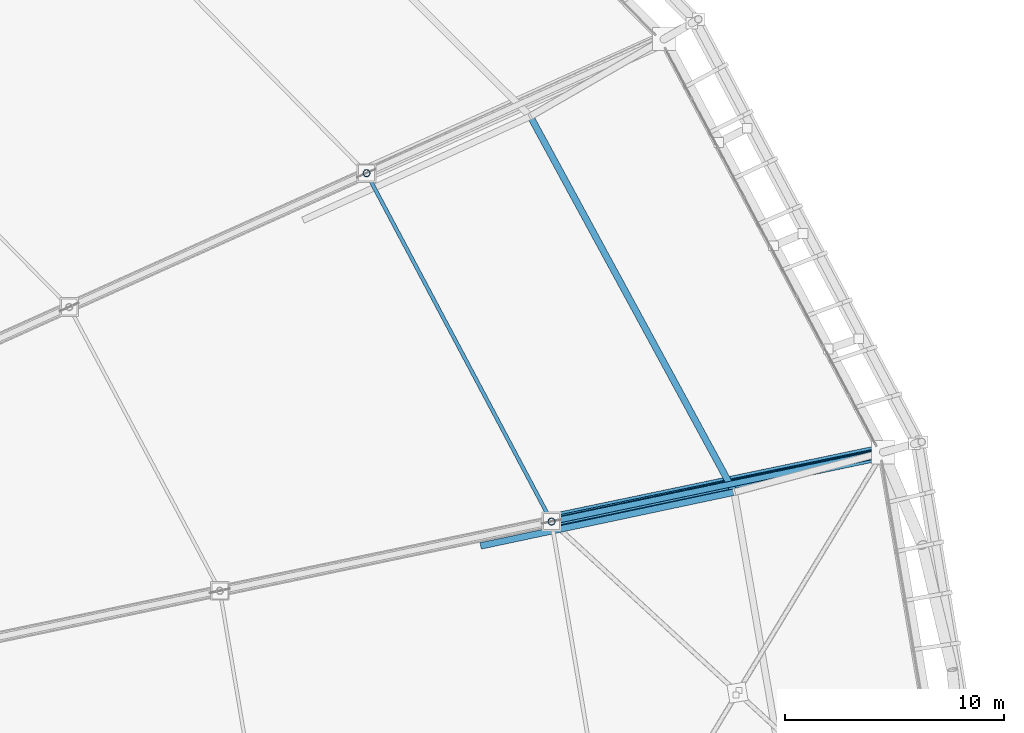
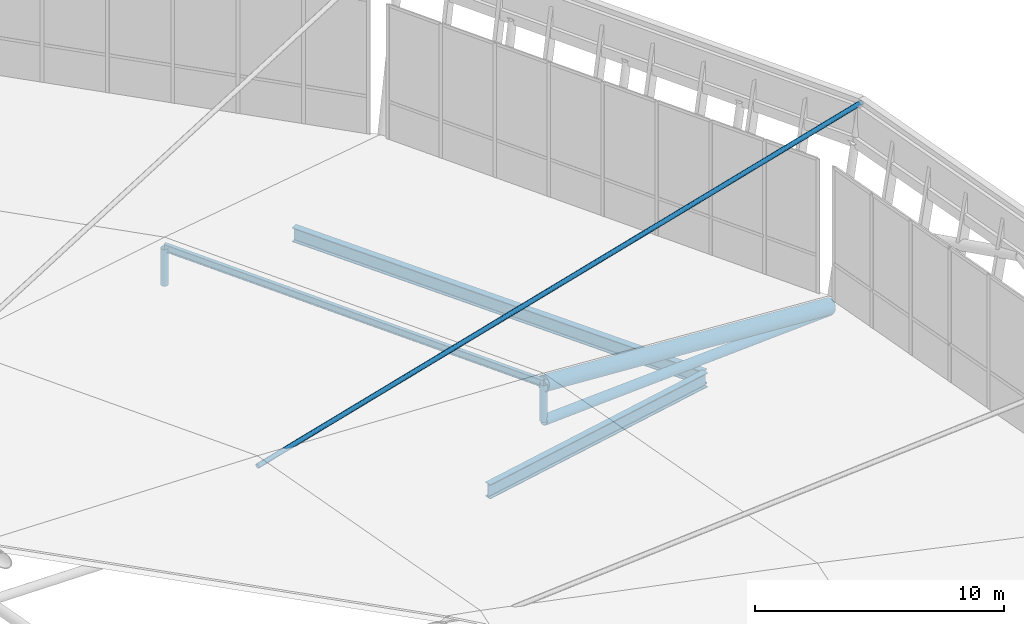
# One storey, part 55 of 115: 7 members, 2 beams.
"""IFC4 building model written with IfcOpenShell, lengths in metres."""

from ifc_helpers import new_model, si_unit, direction, frame, origin, origin_2d, place, context, subcontext, project, spatial, hollow_circle, i_section, extrude, material, material_profile, profile_set, type_object, element, save


model = new_model("IFC4")

# Units and contexts
model_context = context("Model", 3, precision=1e-05, world=origin(), true_north=direction((0.0, 1.0)))
body_context = subcontext(model_context, "Body", "Model", "MODEL_VIEW")
ifc_project = project(units=[si_unit("LENGTHUNIT", "METRE"), si_unit("AREAUNIT", "SQUARE_METRE"), si_unit("VOLUMEUNIT", "CUBIC_METRE"), si_unit("PLANEANGLEUNIT", "RADIAN"), si_unit("MASSUNIT", "GRAM", prefix="KILO")], contexts=[model_context])

# Site, building, storey
site_placement = place(None, origin())
site = spatial("IfcSite", under=ifc_project, at=site_placement, CompositionType="ELEMENT")
building_placement = place(site_placement, origin())
building = spatial("IfcBuilding", under=site, at=building_placement, Name="Zlatoyarsky Gate Stadium", CompositionType="ELEMENT")
storey_placement = place(building_placement, frame((0.0, 0.0, 31.800048828125)))
storey = spatial("IfcBuildingStorey", under=building, at=storey_placement, Name="RF", CompositionType="ELEMENT", Elevation=31.800048828125)

# Members
ifc_material = material(Name="Steel S355", Category="steel")
ifc_material_profile_1 = material_profile(ifc_material, hollow_circle(Radius=0.228515625, WallThickness=0.02490234375, at=origin_2d()), Name="CHS 457X25")
ifc_profile_set_1 = profile_set([ifc_material_profile_1], Name="Steel S355")
member_type_1 = type_object("IfcMemberType", Name="STEEL ARCH BOTTOM CHORD CHS 457X25", PredefinedType="CHORD", material=ifc_profile_set_1)
member_1_placement = place(storey_placement, frame((207.619140625, 100.195068359375, -0.449951171875), z_axis=(-0.972261655256, -0.203217530237, 0.115801162009), x_axis=(0.2045939534, -0.978846930951, 0.0)))
element("IfcMember", 1, at=member_1_placement, inside=storey, type_object=member_type_1, Name="Radial truss R02 bottom chord 1", PredefinedType="CHORD", context=body_context, shape_type="SweptSolid", body=[
    extrude(hollow_circle(Radius=0.228515625, WallThickness=0.02490234375, at=origin_2d()), origin(), (0.0, 0.0, 1.0), 15.542236328125),
])
ifc_material_profile_2 = material_profile(ifc_material, hollow_circle(Radius=0.35546875, WallThickness=0.031982421875, at=origin_2d()), Name="CHS 711X32")
ifc_profile_set_2 = profile_set([ifc_material_profile_2], Name="Steel S355")
member_type_2 = type_object("IfcMemberType", Name="STEEL ARCH TOP CHORD CHS 711X32", PredefinedType="CHORD", material=ifc_profile_set_2)
member_2_placement = place(storey_placement, frame((207.619140625, 100.195068359375, -0.25), z_axis=(-0.955938348937, -0.199805709996, 0.215080336817), x_axis=(0.2045939534, -0.978846930951, 0.0)))
element("IfcMember", 2, at=member_2_placement, inside=storey, type_object=member_type_2, Name="Radial truss R02 top chord 1", PredefinedType="CHORD", context=body_context, shape_type="SweptSolid", body=[
    extrude(hollow_circle(Radius=0.35546875, WallThickness=0.031982421875, at=origin_2d()), origin(), (0.0, 0.0, 1.0), 15.8076171875),
])
ifc_material_profile_3 = material_profile(ifc_material, hollow_circle(Radius=0.109619140625, WallThickness=0.012451171875, at=origin_2d()), Name="CHS 219.1X12.5")
ifc_profile_set_3 = profile_set([ifc_material_profile_3], Name="Steel S355")
member_type_3 = type_object("IfcMemberType", Name="STEEL CANOPY WIND BRACE CHS 219.1X12.5", PredefinedType="BRACE", material=ifc_profile_set_3)
member_3_placement = place(storey_placement, frame((209.373779296875, 100.665283203125, 8.849853515625), z_axis=(-0.975244889399, -0.20700257425, -0.077764644634), x_axis=(0.207631334908, -0.978207150232, 0.0)))
element("IfcMember", 3, at=member_3_placement, inside=storey, type_object=member_type_3, Name="Crown fascia tie brace 01", PredefinedType="BRACE", context=body_context, shape_type="SweptSolid", body=[
    extrude(hollow_circle(Radius=0.109619140625, WallThickness=0.012451171875, at=origin_2d()), origin(), (0.0, 0.0, 1.0), 32.788818359375),
])
ifc_material_profile_4 = material_profile(ifc_material, i_section(OverallWidth=0.169921875, OverallDepth=0.360107421875, WebThickness=0.008056640625, FlangeThickness=0.0126953125, FilletRadius=0.01806640625, at=origin_2d()), Name="IPE 360")
ifc_profile_set_4 = profile_set([ifc_material_profile_4], Name="Steel S355")
member_type_4 = type_object("IfcMemberType", Name="STEEL LONG SPAN PURLIN IPE 360", PredefinedType="PURLIN", material=ifc_profile_set_4)
member_4_placement = place(storey_placement, frame((192.508056640625, 97.03662109375, 3.179931640625), z_axis=(-0.46898507061, 0.883206093471, 0.0), x_axis=(-0.883206093471, -0.46898507061, 0.0)))
element("IfcMember", 4, at=member_4_placement, inside=storey, type_object=member_type_4, Name="Stadium roof purlin 01.1", PredefinedType="PURLIN", context=body_context, shape_type="SweptSolid", body=[
    extrude(i_section(OverallWidth=0.169921875, OverallDepth=0.360107421875, WebThickness=0.008056640625, FlangeThickness=0.0126953125, FilletRadius=0.01806640625, at=origin_2d()), origin(), (0.0, 0.0, 1.0), 17.974853515625),
])

# Beams
ifc_material_profile_5 = material_profile(ifc_material, i_section(OverallWidth=0.300048828125, OverallDepth=0.699951171875, WebThickness=0.01708984375, FlangeThickness=0.031982421875, FilletRadius=0.027099609375, at=origin_2d()), Name="HEB 700")
ifc_profile_set_5 = profile_set([ifc_material_profile_5], Name="Steel S355")
beam_type = type_object("IfcBeamType", Name="STEEL ROOF RING GIRDER HEB 700", PredefinedType="BEAM", material=ifc_profile_set_5)
beam_1_placement = place(storey_placement, frame((189.279052734375, 95.92578125, -0.300048828125), z_axis=(0.978234125102, 0.207504208355, 0.0), x_axis=(-0.207504208355, 0.978234125102, 0.0)))
element("IfcBeam", 5, at=beam_1_placement, inside=storey, type_object=beam_type, Name="RF roof tie girder BM-RF-RBC-01", PredefinedType="BEAM", context=body_context, shape_type="SweptSolid", body=[
    extrude(i_section(OverallWidth=0.300048828125, OverallDepth=0.699951171875, WebThickness=0.01708984375, FlangeThickness=0.031982421875, FilletRadius=0.027099609375, at=origin_2d()), origin(), (0.0, 0.0, 1.0), 11.76904296875),
])
beam_2_placement = place(storey_placement, frame((200.81201171875, 98.411376953125, -0.300048828125), z_axis=(-0.476886635343, 0.878964809894, 0.0), x_axis=(-0.878964809894, -0.476886635343, 0.0)))
element("IfcBeam", 6, at=beam_2_placement, inside=storey, type_object=beam_type, Name="RF roof tie girder BM-RF-CRC-01", PredefinedType="BEAM", context=body_context, shape_type="SweptSolid", body=[
    extrude(i_section(OverallWidth=0.300048828125, OverallDepth=0.699951171875, WebThickness=0.01708984375, FlangeThickness=0.031982421875, FilletRadius=0.027099609375, at=origin_2d()), origin(), (0.0, 0.0, 1.0), 19.40185546875),
])

# Members
ifc_material_profile_6 = material_profile(ifc_material, hollow_circle(Radius=0.136474609375, WallThickness=0.01611328125, at=origin_2d()), Name="CHS 273X16")
ifc_profile_set_6 = profile_set([ifc_material_profile_6], Name="Steel S355")
member_type_5 = type_object("IfcMemberType", Name="STEEL ROOF TRUSS DIAGONAL CHS 273X16", PredefinedType="BRACE", material=ifc_profile_set_6)
member_5_placement = place(storey_placement, frame((207.619140625, 100.195068359375, -0.449951171875), z_axis=(-0.953272377276, -0.199248481215, 0.227094291993), x_axis=(0.2045939534, -0.978846930951, 0.0)))
element("IfcMember", 7, at=member_5_placement, inside=storey, type_object=member_type_5, Name="Radial truss R02 web diagonal 1", PredefinedType="BRACE", context=body_context, shape_type="SweptSolid", body=[
    extrude(hollow_circle(Radius=0.136474609375, WallThickness=0.01611328125, at=origin_2d()), origin(), (0.0, 0.0, 1.0), 15.851806640625),
])
ifc_material_profile_7 = material_profile(ifc_material, hollow_circle(Radius=0.161865234375, WallThickness=0.01611328125, at=origin_2d()), Name="CHS 323.9X16")
ifc_profile_set_7 = profile_set([ifc_material_profile_7], Name="Steel S355")
member_type_6 = type_object("IfcMemberType", Name="STEEL TRUSS WEB STRUT CHS 323.9X16", PredefinedType="STRUT", material=ifc_profile_set_7)
for number, where, z_axis, x_axis, name in (
    (8, (192.508056640625, 97.03662109375, 1.349853515625), (0.0, 0.0, 1.0), (1.0, 0.0, 0.0), "Radial truss R02 web strut 1"),
    (9, (184.078125, 112.912109375, 1.349853515625), (0.0, 0.0, 1.0), (1.0, 0.0, 0.0), "Radial truss R03 web strut 1"),
):
    element("IfcMember", number, at=place(storey_placement, frame(where, z_axis=z_axis, x_axis=x_axis)), inside=storey, type_object=member_type_6, Name=name, PredefinedType="STRUT", context=body_context, shape_type="SweptSolid", body=[
        extrude(hollow_circle(Radius=0.161865234375, WallThickness=0.01611328125, at=origin_2d()), origin(), (0.0, 0.0, 1.0), 1.800048828125),
    ])

save(model, "model.ifc")
